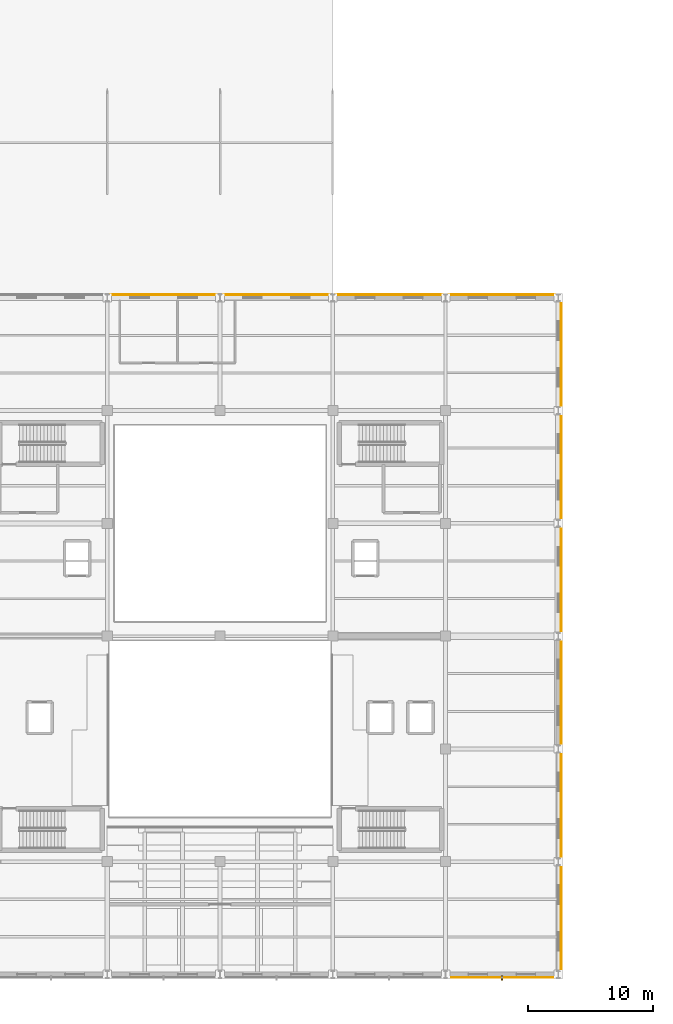
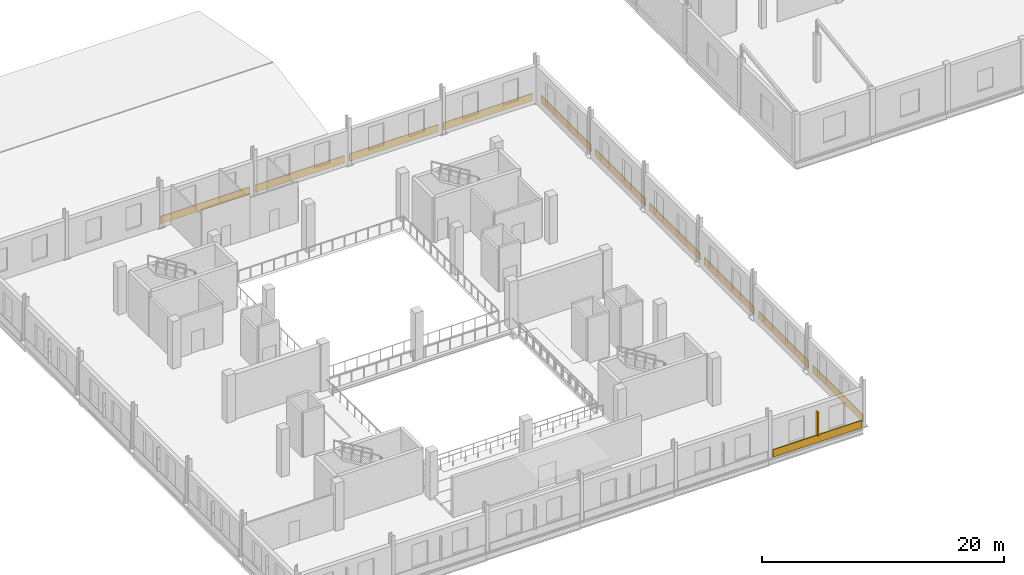
# One storey, part 34 of 35: 11 coverings, 1 shading device.
"""IFC4 building model written with IfcOpenShell, lengths in metres."""

import ifcopenshell
import ifcopenshell.guid

model = None  # the IFC model being written
_history = None  # IfcOwnerHistory: only IFC2X3 demands one
_inside = {}  # id of a spatial element -> (the spatial element, [elements in it])
_under = {}  # id of a project, library or spatial element -> (it, [spatial elements below it])
_declared = {}  # id of a project -> (the project, [libraries it declares])
_typed = {}  # id of a type object -> (the type object, [elements of that type])
_made_of = {}  # id of a material, layer set ... -> (it, [elements and type objects made of it])


def new_model(schema):
    """Start an empty IFC model of exactly this schema.

    Asked for "IFC4X3", IfcOpenShell would pick the latest addendum, in which some entities
    have other attributes; the version numbers below select the first issue.
    IFC2X3 requires an IfcOwnerHistory on every rooted entity: one is made here for all.
    """
    global model, _history
    if schema == "IFC4X3":
        model = ifcopenshell.file(schema_version=(4, 3, 0, 0))
    else:
        model = ifcopenshell.file(schema=schema)
    _inside.clear()
    _under.clear()
    _declared.clear()
    _typed.clear()
    _made_of.clear()
    _history = None
    if model.schema == "IFC2X3":
        org = make("IfcOrganization", Name="unknown")
        user = make(
            "IfcPersonAndOrganization",
            ThePerson=make("IfcPerson", FamilyName="unknown"),
            TheOrganization=org,
        )
        app = make(
            "IfcApplication",
            ApplicationDeveloper=org,
            Version="unknown",
            ApplicationFullName="unknown",
            ApplicationIdentifier="unknown",
        )
        _history = make(
            "IfcOwnerHistory",
            OwningUser=user,
            OwningApplication=app,
            ChangeAction="ADDED",
            CreationDate=0,
        )
    return model


def make(cls, **values):
    """One entity of the class cls with the attributes given. An attribute that is None is left unset."""
    return model.create_entity(
        cls, **{name: value for name, value in values.items() if value is not None}
    )


def rooted(cls, **values):
    """An entity with a GlobalId (a new one), such as an element, a storey or a relation."""
    return make(cls, GlobalId=ifcopenshell.guid.new(), OwnerHistory=_history, **values)


def si_unit(unit_type, name, prefix=None):
    """IfcSIUnit, for example si_unit("LENGTHUNIT", "METRE", prefix="MILLI")."""
    return make("IfcSIUnit", UnitType=unit_type, Prefix=prefix, Name=name)


def assignment(units):
    """IfcUnitAssignment: the units of a project."""
    return None if units is None else make("IfcUnitAssignment", Units=units)


def point(xyz):
    """IfcCartesianPoint."""
    return None if xyz is None else make("IfcCartesianPoint", Coordinates=xyz)


def direction(xyz):
    """IfcDirection."""
    return None if xyz is None else make("IfcDirection", DirectionRatios=xyz)


def frame(location, z_axis=None, x_axis=None):
    """IfcAxis2Placement3D, a coordinate frame: its origin and axes. An axis left out is left unset."""
    return make(
        "IfcAxis2Placement3D",
        Location=point(location),
        Axis=direction(z_axis),
        RefDirection=direction(x_axis),
    )


def frame_2d(location, x_axis=None):
    """IfcAxis2Placement2D, a coordinate frame in the plane: its origin and x axis."""
    return make(
        "IfcAxis2Placement2D", Location=point(location), RefDirection=direction(x_axis)
    )


def origin():
    """The frame at (0, 0, 0) with its axes left unset."""
    return frame((0.0, 0.0, 0.0))


def origin_2d():
    """The frame at (0, 0) in the plane with its x axis left unset."""
    return frame_2d((0.0, 0.0))


def place(relative_to, where):
    """IfcLocalPlacement: puts the frame where relative to a parent placement (None: the world)."""
    return make(
        "IfcLocalPlacement", PlacementRelTo=relative_to, RelativePlacement=where
    )


def context(
    kind, dimensions, precision=None, world=None, true_north=None, identifier=None
):
    """IfcGeometricRepresentationContext, for example the 3D "Model" context."""
    return make(
        "IfcGeometricRepresentationContext",
        ContextIdentifier=identifier,
        ContextType=kind,
        CoordinateSpaceDimension=dimensions,
        Precision=precision,
        WorldCoordinateSystem=world,
        TrueNorth=true_north,
    )


def subcontext(parent, identifier, kind, view, scale=None):
    """IfcGeometricRepresentationSubContext, for example "Body" below "Model"."""
    return make(
        "IfcGeometricRepresentationSubContext",
        ContextIdentifier=identifier,
        ContextType=kind,
        ParentContext=parent,
        TargetScale=scale,
        TargetView=view,
    )


def project(units=None, contexts=None):
    """IfcProject with its units and contexts."""
    return rooted(
        "IfcProject",
        Name="project",
        RepresentationContexts=contexts,
        UnitsInContext=assignment(units),
    )


def spatial(cls, under=None, at=None, **own):
    """A site, building, storey or space (cls), placed at a placement, below another one or the project."""
    s = rooted(cls, ObjectPlacement=at, **own)
    if under is not None:
        _under.setdefault(under.id(), (under, []))[1].append(s)
    return s


def profile(cls, at=None, kind="AREA", **sizes):
    """A parametric profile (cls). Its sizes go by their IFC names, for example OverallWidth=200.0."""
    return make(cls, ProfileType=kind, Position=at, **sizes)


def rectangle(**sizes):
    """IfcRectangleProfileDef."""
    return profile("IfcRectangleProfileDef", **sizes)


def extrude(swept, where, along, depth):
    """IfcExtrudedAreaSolid: the profile swept, set in the frame where, extruded along a direction by depth."""
    return make(
        "IfcExtrudedAreaSolid",
        SweptArea=swept,
        Position=where,
        ExtrudedDirection=direction(along),
        Depth=depth,
    )


def shape(context_of_items, identifier, shape_type, items):
    """IfcShapeRepresentation: the items that make up one representation, for example the "Body"."""
    return make(
        "IfcShapeRepresentation",
        ContextOfItems=context_of_items,
        RepresentationIdentifier=identifier,
        RepresentationType=shape_type,
        Items=items,
    )


def material(Name=None, Category=None):
    """IfcMaterial."""
    return make("IfcMaterial", Name=Name, Category=Category)


def layer(
    of_material, thickness, ventilated=None, Name=None, Category=None, Priority=None
):
    """IfcMaterialLayer: one layer of a wall or slab, of a material (None: an air gap)."""
    return make(
        "IfcMaterialLayer",
        Material=of_material,
        LayerThickness=thickness,
        IsVentilated=ventilated,
        Name=Name,
        Category=Category,
        Priority=Priority,
    )


def layer_set(layers, Name=None):
    """IfcMaterialLayerSet."""
    return make("IfcMaterialLayerSet", MaterialLayers=layers, LayerSetName=Name)


def made_of(thing, what):
    """Note that an element or type object is made of a material, layer set ...; save() writes the relation."""
    if what is not None:
        _made_of.setdefault(what.id(), (what, []))[1].append(thing)
    return thing


def type_object(cls, material=None, **own):
    """A type object (cls), such as IfcWallType, which elements share."""
    return made_of(rooted(cls, **own), material)


def element(
    cls,
    number,
    at=None,
    inside=None,
    cuts=None,
    type_object=None,
    material=None,
    context=None,
    identifier="Body",
    shape_type=None,
    held_by="IfcProductDefinitionShape",
    body=None,
    shapes=None,
    **own,
):
    """One element of the class cls, such as IfcWall. Its Tag is "e" and its number.

    at: its placement. inside: the storey or other place that contains it. cuts: it is an
    opening in that element (IfcRelVoidsElement). A single representation is given by context,
    identifier, shape_type and body (its items); several are given by shapes. held_by: the class
    of the entity that holds the representations. save() writes the other relations.
    """
    e = rooted(cls, Tag="e%d" % number, ObjectPlacement=at, **own)
    if body is not None:
        shapes = [shape(context, identifier, shape_type, body)]
    if shapes is not None:
        e.Representation = make(held_by, Representations=shapes)
    if inside is not None:
        _inside.setdefault(inside.id(), (inside, []))[1].append(e)
    if cuts is not None:
        rooted(
            "IfcRelVoidsElement", RelatingBuildingElement=cuts, RelatedOpeningElement=e
        )
    if type_object is not None:
        _typed.setdefault(type_object.id(), (type_object, []))[1].append(e)
    return made_of(e, material)


def aggregate(whole, parts):
    """IfcRelAggregates: a whole, such as a stair, and the parts it consists of."""
    return rooted("IfcRelAggregates", RelatingObject=whole, RelatedObjects=parts)


def save(model, path):
    """Write the relations noted so far, then the file.

    IfcRelAggregates (storeys below a building ...), IfcRelContainedInSpatialStructure (elements
    in a storey), IfcRelDefinesByType, IfcRelAssociatesMaterial and IfcRelDeclares: one each for
    every whole, place, type object, material and project.
    """
    for whole, parts in _under.values():
        aggregate(whole, parts)
    for where, things in _inside.values():
        rooted(
            "IfcRelContainedInSpatialStructure",
            RelatedElements=things,
            RelatingStructure=where,
        )
    for kind, things in _typed.values():
        rooted("IfcRelDefinesByType", RelatedObjects=things, RelatingType=kind)
    for what, things in _made_of.values():
        rooted("IfcRelAssociatesMaterial", RelatedObjects=things, RelatingMaterial=what)
    for by, libraries in _declared.values():
        rooted("IfcRelDeclares", RelatingContext=by, RelatedDefinitions=libraries)
    model.write(path)


model = new_model("IFC4")

# Units and contexts
model_context = context("Model", 3, precision=1e-05, world=origin(), true_north=direction((0.0, 1.0)))
body_context = subcontext(model_context, "Body", "Model", "MODEL_VIEW")
ifc_project = project(units=[si_unit("LENGTHUNIT", "METRE"), si_unit("AREAUNIT", "SQUARE_METRE"), si_unit("VOLUMEUNIT", "CUBIC_METRE"), si_unit("PLANEANGLEUNIT", "RADIAN"), si_unit("MASSUNIT", "GRAM", prefix="KILO")], contexts=[model_context])

# Site, building, storey
site_placement = place(None, origin())
site = spatial("IfcSite", under=ifc_project, at=site_placement, CompositionType="ELEMENT")
building_placement = place(site_placement, origin())
building = spatial("IfcBuilding", under=site, at=building_placement, Name="Sundgate Opera House", CompositionType="ELEMENT")
storey_placement = place(building_placement, frame((0.0, 0.0, 21.60009765625)))
storey = spatial("IfcBuildingStorey", under=building, at=storey_placement, Name="L04", CompositionType="ELEMENT", Elevation=21.60009765625)

# Coverings
ifc_material_1 = material(Name="Deep-carved Komstad limestone relief panel", Category="masonry")
ifc_layer_1 = layer(ifc_material_1, 0.094970703125)
ifc_layer_set_1 = layer_set([ifc_layer_1], Name="Deep-carved Komstad limestone relief panel")
covering_type_1 = type_object("IfcCoveringType", Name="CV-TRENC-DEEP", PredefinedType="CLADDING", material=ifc_layer_set_1)
covering_1_placement = place(storey_placement, frame((67.5, 87.242431640625, 0.044921875), z_axis=(0.0, 0.0, 1.0), x_axis=(1.0, 0.0, 0.0)))
element("IfcCovering", 1, at=covering_1_placement, inside=storey, type_object=covering_type_1, Name="L04 Trencadis 750mm Relief Band CV0058", PredefinedType="CLADDING", context=body_context, shape_type="SweptSolid", body=[
    extrude(rectangle(XDim=8.510009765625, YDim=0.074951171875, at=origin_2d()), origin(), (0.0, 0.0, 1.0), 0.75),
])
for number, where, z_axis, x_axis, name in (
    (2, (81.242431640625, 46.5, 0.044921875), (0.0, 0.0, 1.0), (0.0, 1.0, 0.0), "L04 Trencadis 750mm Relief Band CV0064"),
    (3, (81.242431640625, 73.5, 0.044921875), (0.0, 0.0, 1.0), (0.0, 1.0, 0.0), "L04 Trencadis 750mm Relief Band CV0070"),
):
    element("IfcCovering", number, at=place(storey_placement, frame(where, z_axis=z_axis, x_axis=x_axis)), inside=storey, type_object=covering_type_1, Name=name, PredefinedType="CLADDING", context=body_context, shape_type="SweptSolid", body=[
        extrude(rectangle(XDim=8.260009765625, YDim=0.074951171875, at=origin_2d()), origin(), (0.0, 0.0, 1.0), 0.75),
    ])
ifc_material_2 = material(Name="Frost-proof vitrified stoneware trencadis relief tile", Category="masonry")
ifc_layer_2 = layer(ifc_material_2, 0.074951171875)
ifc_layer_set_2 = layer_set([ifc_layer_2], Name="Frost-proof vitrified stoneware trencadis relief tile")
covering_type_2 = type_object("IfcCoveringType", Name="CV-TRENC-RELIEF", PredefinedType="CLADDING", material=ifc_layer_set_2)
covering_2_placement = place(storey_placement, frame((58.5, 87.242431640625, 0.044921875), z_axis=(0.0, 0.0, 1.0), x_axis=(1.0, 0.0, 0.0)))
element("IfcCovering", 4, at=covering_2_placement, inside=storey, type_object=covering_type_2, Name="L04 Trencadis 750mm Relief Band CV0056", PredefinedType="CLADDING", context=body_context, shape_type="SweptSolid", body=[
    extrude(rectangle(XDim=8.510009765625, YDim=0.074951171875, at=origin_2d()), origin(), (0.0, 0.0, 1.0), 0.75),
])
for number, where, z_axis, x_axis, name in (
    (5, (81.242431640625, 37.5, 0.044921875), (0.0, 0.0, 1.0), (0.0, 1.0, 0.0), "L04 Trencadis 750mm Relief Band CV0062"),
    (6, (81.242431640625, 64.5, 0.044921875), (0.0, 0.0, 1.0), (0.0, 1.0, 0.0), "L04 Trencadis 750mm Relief Band CV0068"),
):
    element("IfcCovering", number, at=place(storey_placement, frame(where, z_axis=z_axis, x_axis=x_axis)), inside=storey, type_object=covering_type_2, Name=name, PredefinedType="CLADDING", context=body_context, shape_type="SweptSolid", body=[
        extrude(rectangle(XDim=8.260009765625, YDim=0.074951171875, at=origin_2d()), origin(), (0.0, 0.0, 1.0), 0.75),
    ])
ifc_material_3 = material(Name="Polychrome trencadis mosaic panel", Category="masonry")
ifc_layer_3 = layer(ifc_material_3, 0.054931640625)
ifc_layer_set_3 = layer_set([ifc_layer_3], Name="Polychrome trencadis mosaic panel")
covering_type_3 = type_object("IfcCoveringType", Name="CV-TRENC-SLIM", PredefinedType="CLADDING", material=ifc_layer_set_3)
for number, where, z_axis, x_axis, name in (
    (7, (49.5, 87.242431640625, 0.044921875), (0.0, 0.0, 1.0), (1.0, 0.0, 0.0), "L04 Trencadis 750mm Relief Band CV0054"),
    (8, (76.5, 32.757568359375, 0.044921875), (0.0, 0.0, 1.0), (1.0, 0.0, 0.0), "L04 Trencadis 750mm Relief Band CV0059"),
    (9, (76.5, 87.242431640625, 0.044921875), (0.0, 0.0, 1.0), (1.0, 0.0, 0.0), "L04 Trencadis 750mm Relief Band CV0060"),
):
    element("IfcCovering", number, at=place(storey_placement, frame(where, z_axis=z_axis, x_axis=x_axis)), inside=storey, type_object=covering_type_3, Name=name, PredefinedType="CLADDING", context=body_context, shape_type="SweptSolid", body=[
        extrude(rectangle(XDim=8.510009765625, YDim=0.074951171875, at=origin_2d()), origin(), (0.0, 0.0, 1.0), 0.75),
    ])
for number, where, z_axis, x_axis, name in (
    (10, (81.242431640625, 55.5, 0.044921875), (0.0, 0.0, 1.0), (0.0, 1.0, 0.0), "L04 Trencadis 750mm Relief Band CV0066"),
    (11, (81.242431640625, 82.5, 0.044921875), (0.0, 0.0, 1.0), (0.0, 1.0, 0.0), "L04 Trencadis 750mm Relief Band CV0072"),
):
    element("IfcCovering", number, at=place(storey_placement, frame(where, z_axis=z_axis, x_axis=x_axis)), inside=storey, type_object=covering_type_3, Name=name, PredefinedType="CLADDING", context=body_context, shape_type="SweptSolid", body=[
        extrude(rectangle(XDim=8.260009765625, YDim=0.074951171875, at=origin_2d()), origin(), (0.0, 0.0, 1.0), 0.75),
    ])

# Shading device
ifc_material_4 = material(Name="Glazed ceramic acoustic sun louvre", Category="masonry")
shading_device_type = type_object("IfcShadingDeviceType", Name="SD-CERAMIC-LOUVRE", PredefinedType="JALOUSIE", material=ifc_material_4)
shading_device_placement = place(storey_placement, frame((76.5, 32.735107421875, 0.800048828125), z_axis=(0.0, 0.0, 1.0), x_axis=(1.0, 0.0, 0.0)))
element("IfcShadingDevice", 12, at=shading_device_placement, inside=storey, type_object=shading_device_type, Name="L04 Ceramic Brise-Soleil Fin SD0022", PredefinedType="JALOUSIE", context=body_context, shape_type="SweptSolid", body=[
    extrude(rectangle(XDim=0.1201171875, YDim=0.35009765625, at=origin_2d()), origin(), (0.0, 0.0, 1.0), 2.39990234375),
])

save(model, "model.ifc")
